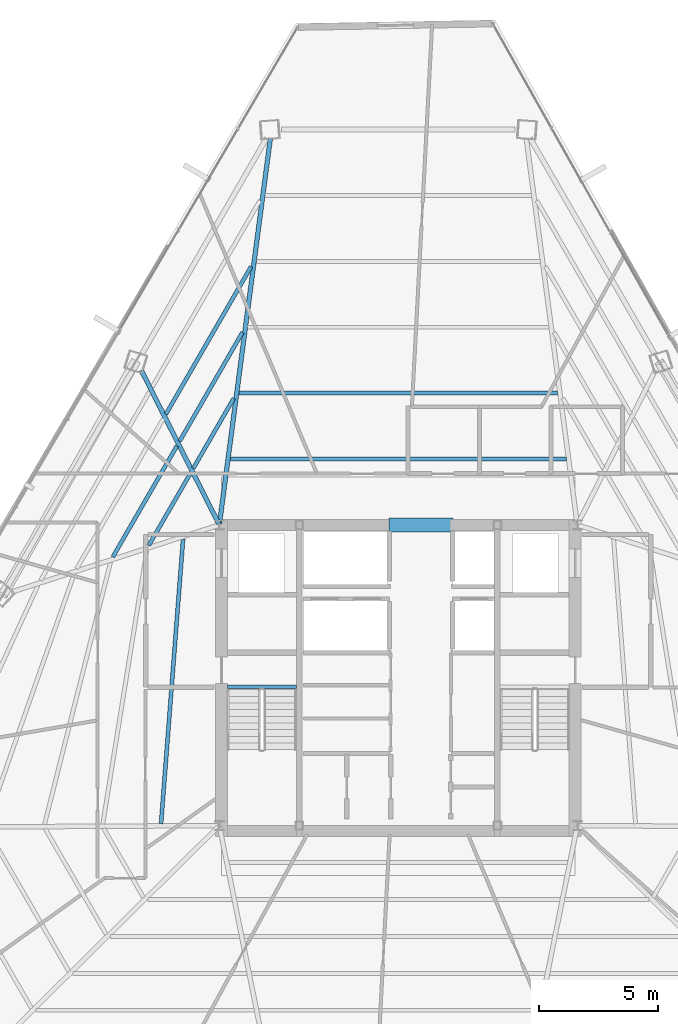
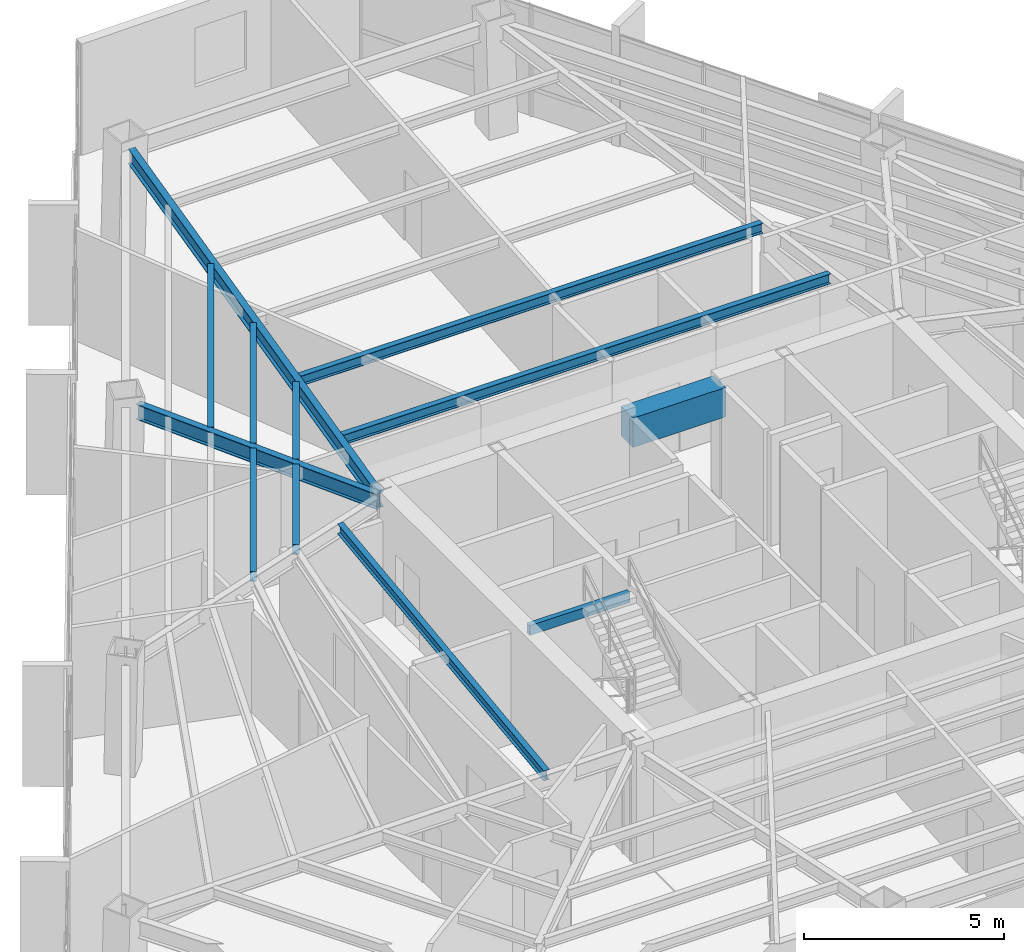
# One storey, part 17 of 42: 12 beams.
"""IFC4 building model written with IfcOpenShell, lengths in metres."""

from ifc_helpers import new_model, si_unit, direction, frame, origin, origin_2d, place, context, subcontext, project, spatial, rectangle, hollow_rectangle, i_section, extrude, source, transform, mapped, material, material_profile, profile_set, type_object, type_shapes, element, save


model = new_model("IFC4")

# Units and contexts
model_context = context("Model", 3, precision=1e-05, world=origin(), true_north=direction((0.0, 1.0)))
body_context = subcontext(model_context, "Body", "Model", "MODEL_VIEW")
ifc_project = project(units=[si_unit("LENGTHUNIT", "METRE"), si_unit("AREAUNIT", "SQUARE_METRE"), si_unit("VOLUMEUNIT", "CUBIC_METRE"), si_unit("PLANEANGLEUNIT", "RADIAN"), si_unit("MASSUNIT", "GRAM", prefix="KILO")], contexts=[model_context])

# Site, building, storey
site_placement = place(None, origin())
site = spatial("IfcSite", under=ifc_project, at=site_placement, CompositionType="ELEMENT")
building_placement = place(site_placement, origin())
building = spatial("IfcBuilding", under=site, at=building_placement, Name="Caelisora Broadcast Tower", CompositionType="ELEMENT")
storey_placement = place(building_placement, frame((0.0, 0.0, 191.35009765625)))
storey = spatial("IfcBuildingStorey", under=building, at=storey_placement, Name="L50", CompositionType="ELEMENT", Elevation=191.35009765625)

# Beams
ifc_material_1 = material(Name="Steel Grade 350 (AS/NZS 1163 C350L0)", Category="steel")
ifc_material_profile_1 = material_profile(ifc_material_1, hollow_rectangle(XDim=0.14990234375, YDim=0.300048828125, WallThickness=0.010009765625, at=origin_2d()), Name="Steel Grade 350 (AS/NZS 1163 C350L0)")
ifc_profile_set_1 = profile_set([ifc_material_profile_1], Name="Steel Grade 350 (AS/NZS 1163 C350L0)")
beam_type_1 = type_object("IfcBeamType", Name="SB05", PredefinedType="JOIST", material=ifc_profile_set_1)
shared_shape_1 = source(origin(), body_context, "Body", "SweptSolid", [
    extrude(hollow_rectangle(XDim=0.14990234375, YDim=0.300048828125, WallThickness=0.010009765625, at=origin_2d()), origin(), (0.0, 0.0, 1.0), 2.89990234375),
])
type_shapes(beam_type_1, [shared_shape_1])
beam_1_placement = place(storey_placement, frame((30.840087890625, 23.219970703125, 3.25), z_axis=(1.0, 0.0, 0.0), x_axis=(0.0, 1.0, 0.0)))
element("IfcBeam", 1, at=beam_1_placement, inside=storey, type_object=beam_type_1, Name="L50 beam SB05", PredefinedType="JOIST", context=body_context, shape_type="MappedRepresentation", body=[
    mapped(shared_shape_1, transform((0.0, 0.0, 0.0), scale=1.0)),
])
ifc_material_2 = material(Name="Concrete 50 MPa (AS 3600 S50)", Category="concrete")
ifc_material_profile_2 = material_profile(ifc_material_2, rectangle(XDim=0.60009765625, YDim=0.89990234375, at=origin_2d()), Name="Concrete 50 MPa (AS 3600 S50)")
ifc_profile_set_2 = profile_set([ifc_material_profile_2], Name="Concrete 50 MPa (AS 3600 S50)")
beam_type_2 = type_object("IfcBeamType", Name="CB02", PredefinedType="LINTEL", material=ifc_profile_set_2)
shared_shape_2 = source(origin(), body_context, "Body", "SweptSolid", [
    extrude(rectangle(XDim=0.60009765625, YDim=0.89990234375, at=origin_2d()), origin(), (0.0, 0.0, 1.0), 2.699951171875),
])
type_shapes(beam_type_2, [shared_shape_2])
beam_2_placement = place(storey_placement, frame((37.60009765625, 30.0, 2.949951171875), z_axis=(1.0, 0.0, 0.0), x_axis=(0.0, 1.0, 0.0)))
element("IfcBeam", 2, at=beam_2_placement, inside=storey, type_object=beam_type_2, Name="L50 beam CB02", PredefinedType="LINTEL", context=body_context, shape_type="MappedRepresentation", body=[
    mapped(shared_shape_2, transform((0.0, 0.0, 0.0), scale=1.0)),
])
ifc_material_3 = material(Name="Steel Grade 350 (AS/NZS 3679.1)", Category="steel")
ifc_material_profile_3 = material_profile(ifc_material_3, i_section(OverallWidth=0.19091796875, OverallDepth=0.46044921875, WebThickness=0.010009765625, FlangeThickness=0.01611328125, at=origin_2d()), Name="Steel Grade 350 (AS/NZS 3679.1)")
ifc_profile_set_3 = profile_set([ifc_material_profile_3], Name="Steel Grade 350 (AS/NZS 3679.1)")
beam_type_3 = type_object("IfcBeamType", Name="PG06", PredefinedType="BEAM", material=ifc_profile_set_3)
shared_shape_3 = source(origin(), body_context, "Body", "SweptSolid", [
    extrude(i_section(OverallWidth=0.19091796875, OverallDepth=0.46044921875, WebThickness=0.010009765625, FlangeThickness=0.01611328125, at=origin_2d()), origin(), (0.0, 0.0, 1.0), 16.2744140625),
])
beam_3_placement = place(storey_placement, frame((30.5078125, 30.0595703125, 3.169677734375), z_axis=(0.130903872867, 0.991395065586, 0.0), x_axis=(-0.991395065586, 0.130903872867, 0.0)))
element("IfcBeam", 3, at=beam_3_placement, inside=storey, type_object=beam_type_3, Name="L50 beam PG06", PredefinedType="BEAM", context=body_context, shape_type="MappedRepresentation", body=[
    mapped(shared_shape_3, transform((0.0, 0.0, 0.0), scale=1.0)),
])
shared_shape_4 = source(origin(), body_context, "Body", "SweptSolid", [
    extrude(i_section(OverallWidth=0.19091796875, OverallDepth=0.46044921875, WebThickness=0.010009765625, FlangeThickness=0.01611328125, at=origin_2d()), origin(), (0.0, 0.0, 1.0), 7.200439453125),
])
type_shapes(beam_type_3, [shared_shape_3, shared_shape_4])
beam_4_placement = place(storey_placement, frame((30.472900390625, 30.0537109375, 3.169677734375), z_axis=(-0.450682228793, 0.892684450772, 0.0), x_axis=(-0.892684450772, -0.450682228793, 0.0)))
element("IfcBeam", 4, at=beam_4_placement, inside=storey, type_object=beam_type_3, Name="L50 beam PG06", PredefinedType="BEAM", context=body_context, shape_type="MappedRepresentation", body=[
    mapped(shared_shape_4, transform((0.0, 0.0, 0.0), scale=1.0)),
])
ifc_material_profile_4 = material_profile(ifc_material_3, i_section(OverallWidth=0.166015625, OverallDepth=0.30712890625, WebThickness=0.006591796875, FlangeThickness=0.01171875, at=origin_2d()), Name="Steel Grade 350 (AS/NZS 3679.1)")
ifc_profile_set_4 = profile_set([ifc_material_profile_4], Name="Steel Grade 350 (AS/NZS 3679.1)")
beam_type_4 = type_object("IfcBeamType", Name="SB03", PredefinedType="JOIST", material=ifc_profile_set_4)
shared_shape_5 = source(origin(), body_context, "Body", "SweptSolid", [
    extrude(i_section(OverallWidth=0.166015625, OverallDepth=0.30712890625, WebThickness=0.006591796875, FlangeThickness=0.01171875, at=origin_2d()), origin(), (0.0, 0.0, 1.0), 14.083984375),
])
beam_5_placement = place(storey_placement, frame((45.0419921875, 32.760986328125, 3.246337890625), z_axis=(-1.0, 0.0, 0.0), x_axis=(0.0, -1.0, 0.0)))
element("IfcBeam", 5, at=beam_5_placement, inside=storey, type_object=beam_type_4, Name="L50 beam SB03", PredefinedType="JOIST", context=body_context, shape_type="MappedRepresentation", body=[
    mapped(shared_shape_5, transform((0.0, 0.0, 0.0), scale=1.0)),
])
shared_shape_6 = source(origin(), body_context, "Body", "SweptSolid", [
    extrude(i_section(OverallWidth=0.166015625, OverallDepth=0.30712890625, WebThickness=0.006591796875, FlangeThickness=0.01171875, at=origin_2d()), origin(), (0.0, 0.0, 1.0), 13.35498046875),
])
beam_6_placement = place(storey_placement, frame((44.677490234375, 35.522216796875, 3.246337890625), z_axis=(-1.0, 0.0, 0.0), x_axis=(0.0, -1.0, 0.0)))
element("IfcBeam", 6, at=beam_6_placement, inside=storey, type_object=beam_type_4, Name="L50 beam SB03", PredefinedType="JOIST", context=body_context, shape_type="MappedRepresentation", body=[
    mapped(shared_shape_6, transform((0.0, 0.0, 0.0), scale=1.0)),
])
shared_shape_7 = source(origin(), body_context, "Body", "SweptSolid", [
    extrude(i_section(OverallWidth=0.166015625, OverallDepth=0.30712890625, WebThickness=0.006591796875, FlangeThickness=0.01171875, at=origin_2d()), origin(), (0.0, 0.0, 1.0), 3.39501953125),
])
beam_7_placement = place(storey_placement, frame((31.105712890625, 35.30859375, 3.246337890625), z_axis=(-0.499998420191, -0.866026315886, 0.0), x_axis=(0.866026315886, -0.499998420191, 0.0)))
element("IfcBeam", 7, at=beam_7_placement, inside=storey, type_object=beam_type_4, Name="L50 beam SB03", PredefinedType="JOIST", context=body_context, shape_type="MappedRepresentation", body=[
    mapped(shared_shape_7, transform((0.0, 0.0, 0.0), scale=1.0)),
])
shared_shape_8 = source(origin(), body_context, "Body", "SweptSolid", [
    extrude(i_section(OverallWidth=0.166015625, OverallDepth=0.30712890625, WebThickness=0.006591796875, FlangeThickness=0.01171875, at=origin_2d()), origin(), (0.0, 0.0, 1.0), 5.27099609375),
])
beam_8_placement = place(storey_placement, frame((31.47021484375, 38.069580078125, 3.246337890625), z_axis=(-0.499989740797, -0.866031326857, 0.0), x_axis=(0.866031326857, -0.499989740797, 0.0)))
element("IfcBeam", 8, at=beam_8_placement, inside=storey, type_object=beam_type_4, Name="L50 beam SB03", PredefinedType="JOIST", context=body_context, shape_type="MappedRepresentation", body=[
    mapped(shared_shape_8, transform((0.0, 0.0, 0.0), scale=1.0)),
])
shared_shape_9 = source(origin(), body_context, "Body", "SweptSolid", [
    extrude(i_section(OverallWidth=0.166015625, OverallDepth=0.30712890625, WebThickness=0.006591796875, FlangeThickness=0.01171875, at=origin_2d()), origin(), (0.0, 0.0, 1.0), 7.1474609375),
])
beam_9_placement = place(storey_placement, frame((31.834716796875, 40.830810546875, 3.246337890625), z_axis=(-0.499996446128, -0.866027455604, 0.0), x_axis=(0.866027455604, -0.499996446128, 0.0)))
element("IfcBeam", 9, at=beam_9_placement, inside=storey, type_object=beam_type_4, Name="L50 beam SB03", PredefinedType="JOIST", context=body_context, shape_type="MappedRepresentation", body=[
    mapped(shared_shape_9, transform((0.0, 0.0, 0.0), scale=1.0)),
])
shared_shape_10 = source(origin(), body_context, "Body", "SweptSolid", [
    extrude(i_section(OverallWidth=0.166015625, OverallDepth=0.30712890625, WebThickness=0.006591796875, FlangeThickness=0.01171875, at=origin_2d()), origin(), (0.0, 0.0, 1.0), 3.501953125),
])
beam_10_placement = place(storey_placement, frame((29.297119140625, 32.176025390625, 3.246337890625), z_axis=(-0.500008102249, -0.866020725898, 0.0), x_axis=(0.866020725898, -0.500008102249, 0.0)))
element("IfcBeam", 10, at=beam_10_placement, inside=storey, type_object=beam_type_4, Name="L50 beam SB03", PredefinedType="JOIST", context=body_context, shape_type="MappedRepresentation", body=[
    mapped(shared_shape_10, transform((0.0, 0.0, 0.0), scale=1.0)),
])
shared_shape_11 = source(origin(), body_context, "Body", "SweptSolid", [
    extrude(i_section(OverallWidth=0.166015625, OverallDepth=0.30712890625, WebThickness=0.006591796875, FlangeThickness=0.01171875, at=origin_2d()), origin(), (0.0, 0.0, 1.0), 5.37841796875),
])
beam_11_placement = place(storey_placement, frame((28.7236328125, 33.312255859375, 3.246337890625), z_axis=(-0.500010607237, -0.866019279607, 0.0), x_axis=(0.866019279607, -0.500010607237, 0.0)))
element("IfcBeam", 11, at=beam_11_placement, inside=storey, type_object=beam_type_4, Name="L50 beam SB03", PredefinedType="JOIST", context=body_context, shape_type="MappedRepresentation", body=[
    mapped(shared_shape_11, transform((0.0, 0.0, 0.0), scale=1.0)),
])
shared_shape_12 = source(origin(), body_context, "Body", "SweptSolid", [
    extrude(i_section(OverallWidth=0.166015625, OverallDepth=0.30712890625, WebThickness=0.006591796875, FlangeThickness=0.01171875, at=origin_2d()), origin(), (0.0, 0.0, 1.0), 11.968017578125),
])
type_shapes(beam_type_4, [shared_shape_5, shared_shape_6, shared_shape_7, shared_shape_8, shared_shape_9, shared_shape_10, shared_shape_11, shared_shape_12])
beam_12_placement = place(storey_placement, frame((28.98046875, 29.4111328125, 3.246337890625), z_axis=(-0.077150437032, -0.997019463233, 0.0), x_axis=(0.997019463233, -0.077150437032, 0.0)))
element("IfcBeam", 12, at=beam_12_placement, inside=storey, type_object=beam_type_4, Name="L50 beam SB03", PredefinedType="JOIST", context=body_context, shape_type="MappedRepresentation", body=[
    mapped(shared_shape_12, transform((0.0, 0.0, 0.0), scale=1.0)),
])

save(model, "model.ifc")
